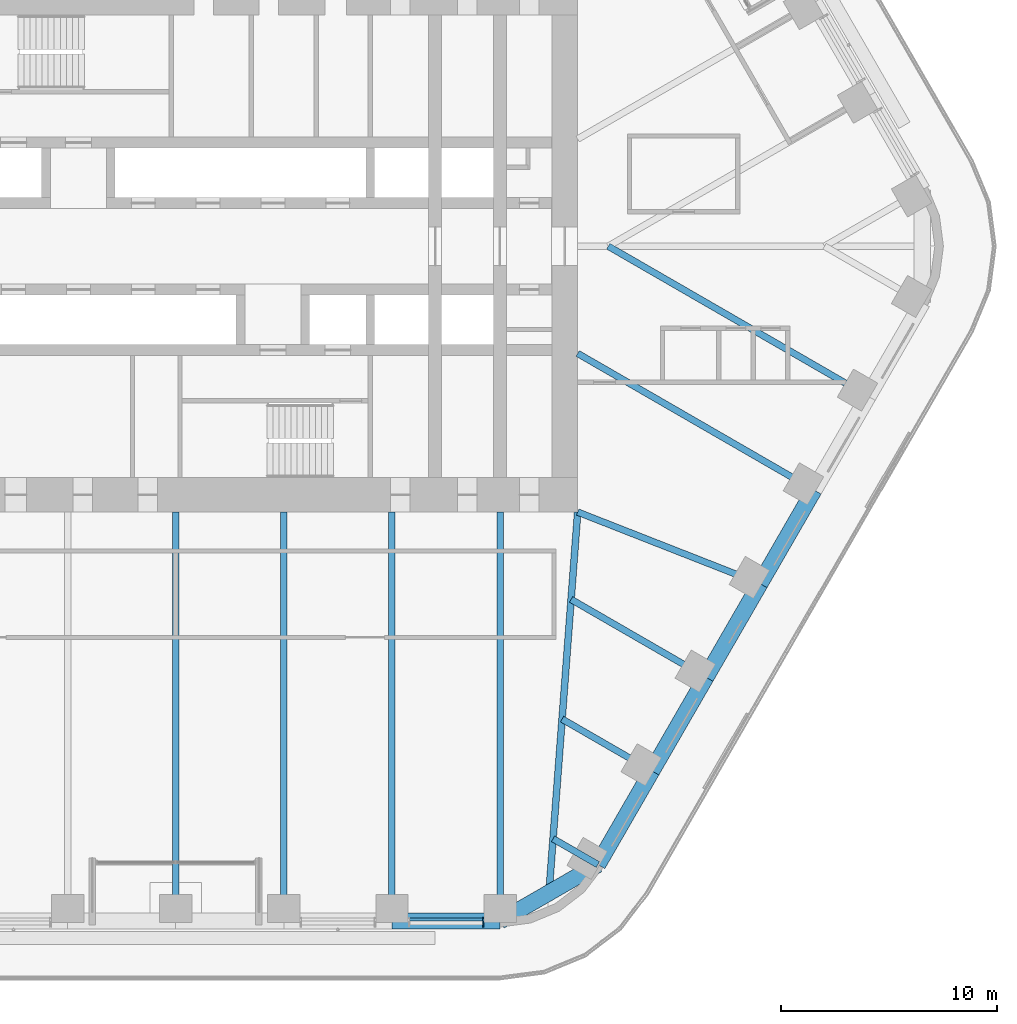
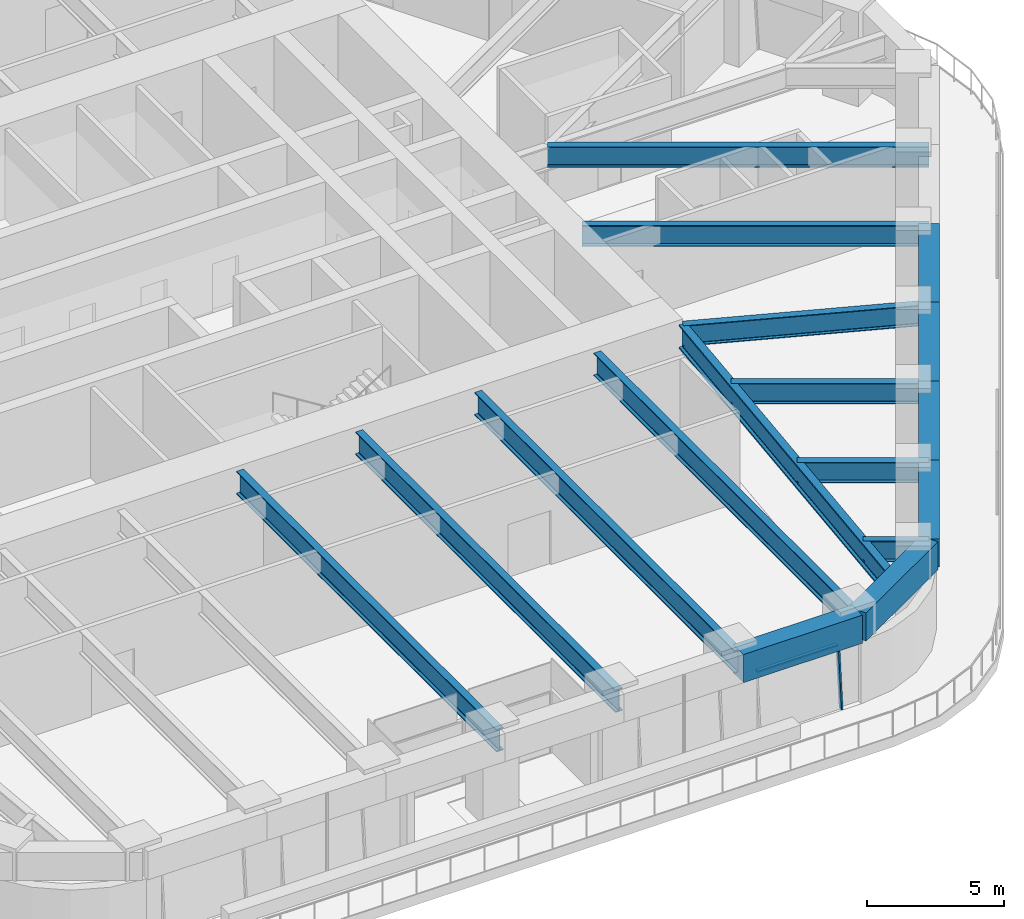
# One storey, part 5 of 24: 17 beams, 2 members, 1 element without a shape of its own.
"""IFC4 building model written with IfcOpenShell, lengths in metres."""

from ifc_helpers import new_model, si_unit, direction, frame, origin, origin_2d, place, context, subcontext, project, spatial, rectangle, i_section, extrude, material, material_profile, profile_set, type_object, element, aggregate, save


model = new_model("IFC4")

# Units and contexts
model_context = context("Model", 3, precision=1e-05, world=origin(), true_north=direction((0.0, 1.0)))
body_context = subcontext(model_context, "Body", "Model", "MODEL_VIEW")
ifc_project = project(units=[si_unit("LENGTHUNIT", "METRE"), si_unit("AREAUNIT", "SQUARE_METRE"), si_unit("VOLUMEUNIT", "CUBIC_METRE"), si_unit("PLANEANGLEUNIT", "RADIAN"), si_unit("MASSUNIT", "GRAM", prefix="KILO")], contexts=[model_context])

# Site, building, storey
site_placement = place(None, origin())
site = spatial("IfcSite", under=ifc_project, at=site_placement, CompositionType="ELEMENT")
building_placement = place(site_placement, origin())
building = spatial("IfcBuilding", under=site, at=building_placement, Name="Tarfa Lantern Tower", CompositionType="ELEMENT")
storey_placement = place(building_placement, frame((0.0, 0.0, 195.10009765625)))
storey = spatial("IfcBuildingStorey", under=building, at=storey_placement, Name="L44", CompositionType="ELEMENT", Elevation=195.10009765625)

# Curtain wall, members
ifc_material_1 = material(Name="Aluminium framed curtain wall", Category="aluminium")
curtain_wall_type = type_object("IfcCurtainWallType", Name="CW2 CANTED GLAZING MID ZONE 2750", PredefinedType="USERDEFINED", material=ifc_material_1)
curtain_wall_placement = place(storey_placement, origin())
curtain_wall = element("IfcCurtainWall", 1, at=curtain_wall_placement, inside=storey, type_object=curtain_wall_type, Name="CW2 SB L44", ObjectType="CURTAIN WALL", PredefinedType="USERDEFINED")
ifc_material_2 = material(Name="Aluminium mullion", Category="aluminium")
ifc_material_profile_1 = material_profile(ifc_material_2, rectangle(XDim=0.06494140625, YDim=0.199951171875, at=origin_2d()), Name="AL MULLION 65x200")
ifc_profile_set_1 = profile_set([ifc_material_profile_1], Name="Aluminium mullion")
member_type_1 = type_object("IfcMemberType", Name="CWM1 MULLION 65x200", PredefinedType="MULLION", material=ifc_profile_set_1)
member_1_placement = place(storey_placement, frame((14.228515625, -31.39990234375, 0.0), z_axis=(0.0, 0.090535746043, 0.995893206468), x_axis=(-1.0, 0.0, 0.0)))
member_1 = element("IfcMember", 2, at=member_1_placement, type_object=member_type_1, Name="CW2 mullion 2", PredefinedType="MULLION", context=body_context, shape_type="SweptSolid", body=[
    extrude(rectangle(XDim=0.06494140625, YDim=0.199951171875, at=origin_2d()), origin(), (0.0, 0.0, 1.0), 2.76123046875),
])
ifc_material_3 = material(Name="Aluminium transom", Category="aluminium")
ifc_material_profile_2 = material_profile(ifc_material_3, rectangle(XDim=0.14990234375, YDim=0.06494140625, at=origin_2d()), Name="AL TRANSOM 150x65")
ifc_profile_set_2 = profile_set([ifc_material_profile_2], Name="Aluminium transom")
member_type_2 = type_object("IfcMemberType", Name="CWT1 TRANSOM 150x65", PredefinedType="USERDEFINED", material=ifc_profile_set_2)
member_2_placement = place(storey_placement, frame((10.822509765625, -31.153076171875, 2.71728515625), z_axis=(1.0, 0.0, 0.0), x_axis=(0.0, 1.0, 0.0)))
member_2 = element("IfcMember", 3, at=member_2_placement, type_object=member_type_2, Name="CW2 transom 1.2", ObjectType="TRANSOM", PredefinedType="USERDEFINED", context=body_context, shape_type="SweptSolid", body=[
    extrude(rectangle(XDim=0.14990234375, YDim=0.06494140625, at=origin_2d()), origin(), (0.0, 0.0, 1.0), 3.37353515625),
])
aggregate(curtain_wall, [member_1, member_2])

# Beams
ifc_material_4 = material(Name="Concrete C80/95", Category="concrete")
ifc_material_profile_3 = material_profile(ifc_material_4, rectangle(XDim=0.75, YDim=1.25, at=origin_2d()), Name="RC 750x1250")
ifc_profile_set_3 = profile_set([ifc_material_profile_3], Name="Concrete C80/95")
beam_type_1 = type_object("IfcBeamType", Name="EB2 RC 750x1250", PredefinedType="SPANDREL", material=ifc_profile_set_3)
beam_1_placement = place(storey_placement, frame((10.00732421875, -31.219970703125, 3.375), z_axis=(1.0, 0.0, 0.0), x_axis=(0.0, 1.0, 0.0)))
element("IfcBeam", 4, at=beam_1_placement, inside=storey, type_object=beam_type_1, Name="Edge beam S5", PredefinedType="SPANDREL", context=body_context, shape_type="SweptSolid", body=[
    extrude(rectangle(XDim=0.75, YDim=1.25, at=origin_2d()), origin(), (0.0, 0.0, 1.0), 5.003662109375),
])
beam_2_placement = place(storey_placement, frame((15.010986328125, -31.219970703125, 3.375), z_axis=(0.86604150238, 0.499972115377, 0.0), x_axis=(-0.499972115377, 0.86604150238, 0.0)))
element("IfcBeam", 5, at=beam_2_placement, inside=storey, type_object=beam_type_1, Name="Edge beam S6", PredefinedType="SPANDREL", context=body_context, shape_type="SweptSolid", body=[
    extrude(rectangle(XDim=0.75, YDim=1.25, at=origin_2d()), origin(), (0.0, 0.0, 1.0), 5.219970703125),
])
beam_3_placement = place(storey_placement, frame((19.53173828125, -28.610107421875, 3.375), z_axis=(0.500001197378, 0.866024712477, 0.0), x_axis=(-0.866024712477, 0.500001197378, 0.0)))
element("IfcBeam", 6, at=beam_3_placement, inside=storey, type_object=beam_type_1, Name="Edge beam SE0", PredefinedType="SPANDREL", context=body_context, shape_type="SweptSolid", body=[
    extrude(rectangle(XDim=0.75, YDim=1.25, at=origin_2d()), origin(), (0.0, 0.0, 1.0), 5.00390625),
])
for number, where, z_axis, x_axis, name in (
    (7, (22.03369140625, -24.276611328125, 3.375), (0.49998573051, 0.866033642122, 0.0), (-0.866033642122, 0.49998573051, 0.0), "Edge beam SE1"),
    (8, (24.535400390625, -19.943359375, 3.375), (0.500022324899, 0.866012514114, 0.0), (-0.866012514114, 0.500022324899, 0.0), "Edge beam SE2"),
    (9, (27.037353515625, -15.610107421875, 3.375), (0.499964603504, 0.866045838996, 0.0), (-0.866045838996, 0.499964603504, 0.0), "Edge beam SE3"),
):
    element("IfcBeam", number, at=place(storey_placement, frame(where, z_axis=z_axis, x_axis=x_axis)), inside=storey, type_object=beam_type_1, Name=name, PredefinedType="SPANDREL", context=body_context, shape_type="SweptSolid", body=[
        extrude(rectangle(XDim=0.75, YDim=1.25, at=origin_2d()), origin(), (0.0, 0.0, 1.0), 5.003662109375),
    ])
ifc_material_5 = material(Name="Steel S460M", Category="steel")
ifc_material_profile_4 = material_profile(ifc_material_5, i_section(OverallWidth=0.302001953125, OverallDepth=1.008056640625, WebThickness=0.02099609375, FlangeThickness=0.0400390625, FilletRadius=0.030029296875, at=origin_2d()), Name="UB1016x305x349")
ifc_profile_set_4 = profile_set([ifc_material_profile_4], Name="Steel S460M")
beam_type_2 = type_object("IfcBeamType", Name="UB1016x305x349", PredefinedType="BEAM", material=ifc_profile_set_4)
for number, where, z_axis, x_axis, name in (
    (10, (0.0, -31.219970703125, 3.495849609375), (0.0, 1.0, 0.0), (-1.0, 0.0, 0.0), "Floor beam S3"),
    (11, (5.003662109375, -31.219970703125, 3.495849609375), (0.0, 1.0, 0.0), (-1.0, 0.0, 0.0), "Floor beam S4"),
    (12, (10.00732421875, -31.219970703125, 3.495849609375), (0.0, 1.0, 0.0), (-1.0, 0.0, 0.0), "Floor beam S5"),
    (13, (15.010986328125, -31.219970703125, 3.495849609375), (0.0, 1.0, 0.0), (-1.0, 0.0, 0.0), "Floor beam S6"),
):
    element("IfcBeam", number, at=place(storey_placement, frame(where, z_axis=z_axis, x_axis=x_axis)), inside=storey, type_object=beam_type_2, Name=name, PredefinedType="BEAM", context=body_context, shape_type="SweptSolid", body=[
        extrude(i_section(OverallWidth=0.302001953125, OverallDepth=1.008056640625, WebThickness=0.02099609375, FlangeThickness=0.0400390625, FilletRadius=0.030029296875, at=origin_2d()), origin(), (0.0, 0.0, 1.0), 18.919921875),
    ])
ifc_material_profile_5 = material_profile(ifc_material_5, i_section(OverallWidth=0.314208984375, OverallDepth=1.055908203125, WebThickness=0.035888671875, FlangeThickness=0.06396484375, FilletRadius=0.030029296875, at=origin_2d()), Name="UB1016x305x584")
ifc_profile_set_5 = profile_set([ifc_material_profile_5], Name="Steel S460M")
beam_type_3 = type_object("IfcBeamType", Name="UB1016x305x584", PredefinedType="BEAM", material=ifc_profile_set_5)
beam_4_placement = place(storey_placement, frame((18.60009765625, -12.300048828125, 3.471923828125), z_axis=(-0.075211516041, -0.99716760269, 0.0), x_axis=(0.99716760269, -0.075211516041, 0.0)))
element("IfcBeam", 14, at=beam_4_placement, inside=storey, type_object=beam_type_3, Name="Hip girder SE", PredefinedType="BEAM", context=body_context, shape_type="SweptSolid", body=[
    extrude(i_section(OverallWidth=0.314208984375, OverallDepth=1.055908203125, WebThickness=0.035888671875, FlangeThickness=0.06396484375, FilletRadius=0.030029296875, at=origin_2d()), origin(), (0.0, 0.0, 1.0), 17.6650390625),
])
ifc_material_profile_6 = material_profile(ifc_material_5, i_section(OverallWidth=0.305419921875, OverallDepth=0.91845703125, WebThickness=0.017333984375, FlangeThickness=0.02783203125, FilletRadius=0.01904296875, at=origin_2d()), Name="UB914x305x253")
ifc_profile_set_6 = profile_set([ifc_material_profile_6], Name="Steel S460M")
beam_type_4 = type_object("IfcBeamType", Name="UB914x305x253", PredefinedType="BEAM", material=ifc_profile_set_6)
beam_5_placement = place(storey_placement, frame((19.53173828125, -28.610107421875, 3.540771484375), z_axis=(-0.865998640954, 0.500046351717, 0.0), x_axis=(-0.500046351717, -0.865998640954, 0.0)))
element("IfcBeam", 15, at=beam_5_placement, inside=storey, type_object=beam_type_4, Name="Floor beam SE0", PredefinedType="BEAM", context=body_context, shape_type="SweptSolid", body=[
    extrude(i_section(OverallWidth=0.305419921875, OverallDepth=0.91845703125, WebThickness=0.017333984375, FlangeThickness=0.02783203125, FilletRadius=0.01904296875, at=origin_2d()), origin(), (0.0, 0.0, 1.0), 2.392333984375),
])
beam_6_placement = place(storey_placement, frame((22.03369140625, -24.276611328125, 3.540771484375), z_axis=(-0.866030550462, 0.499991085587, 0.0), x_axis=(-0.499991085587, -0.866030550462, 0.0)))
element("IfcBeam", 16, at=beam_6_placement, inside=storey, type_object=beam_type_4, Name="Floor beam SE1", PredefinedType="BEAM", context=body_context, shape_type="SweptSolid", body=[
    extrude(i_section(OverallWidth=0.305419921875, OverallDepth=0.91845703125, WebThickness=0.017333984375, FlangeThickness=0.02783203125, FilletRadius=0.01904296875, at=origin_2d()), origin(), (0.0, 0.0, 1.0), 4.798828125),
])
beam_7_placement = place(storey_placement, frame((24.535400390625, -19.943359375, 3.540771484375), z_axis=(-0.86602647304, 0.499998147991, 0.0), x_axis=(-0.499998147991, -0.86602647304, 0.0)))
element("IfcBeam", 17, at=beam_7_placement, inside=storey, type_object=beam_type_4, Name="Floor beam SE2", PredefinedType="BEAM", context=body_context, shape_type="SweptSolid", body=[
    extrude(i_section(OverallWidth=0.305419921875, OverallDepth=0.91845703125, WebThickness=0.017333984375, FlangeThickness=0.02783203125, FilletRadius=0.01904296875, at=origin_2d()), origin(), (0.0, 0.0, 1.0), 7.20556640625),
])
beam_8_placement = place(storey_placement, frame((27.037353515625, -15.610107421875, 3.540771484375), z_axis=(-0.930923282782, 0.365214788274, 0.0), x_axis=(-0.365214788274, -0.930923282782, 0.0)))
element("IfcBeam", 18, at=beam_8_placement, inside=storey, type_object=beam_type_4, Name="Floor beam SE3", PredefinedType="BEAM", context=body_context, shape_type="SweptSolid", body=[
    extrude(i_section(OverallWidth=0.305419921875, OverallDepth=0.91845703125, WebThickness=0.017333984375, FlangeThickness=0.02783203125, FilletRadius=0.01904296875, at=origin_2d()), origin(), (0.0, 0.0, 1.0), 9.063232421875),
])
beam_9_placement = place(storey_placement, frame((29.5390625, -11.276611328125, 3.540771484375), z_axis=(-0.866023362995, 0.500003534735, 0.0), x_axis=(-0.500003534735, -0.866023362995, 0.0)))
element("IfcBeam", 19, at=beam_9_placement, inside=storey, type_object=beam_type_4, Name="Floor beam SE4", PredefinedType="BEAM", context=body_context, shape_type="SweptSolid", body=[
    extrude(i_section(OverallWidth=0.305419921875, OverallDepth=0.91845703125, WebThickness=0.017333984375, FlangeThickness=0.02783203125, FilletRadius=0.01904296875, at=origin_2d()), origin(), (0.0, 0.0, 1.0), 12.63134765625),
])
beam_10_placement = place(storey_placement, frame((32.041015625, -6.943359375, 3.540771484375), z_axis=(-0.866023096411, 0.500003996466, 0.0), x_axis=(-0.500003996466, -0.866023096411, 0.0)))
element("IfcBeam", 20, at=beam_10_placement, inside=storey, type_object=beam_type_4, Name="Floor beam SE5", PredefinedType="BEAM", context=body_context, shape_type="SweptSolid", body=[
    extrude(i_section(OverallWidth=0.305419921875, OverallDepth=0.91845703125, WebThickness=0.017333984375, FlangeThickness=0.02783203125, FilletRadius=0.01904296875, at=origin_2d()), origin(), (0.0, 0.0, 1.0), 13.88671875),
])

save(model, "model.ifc")
